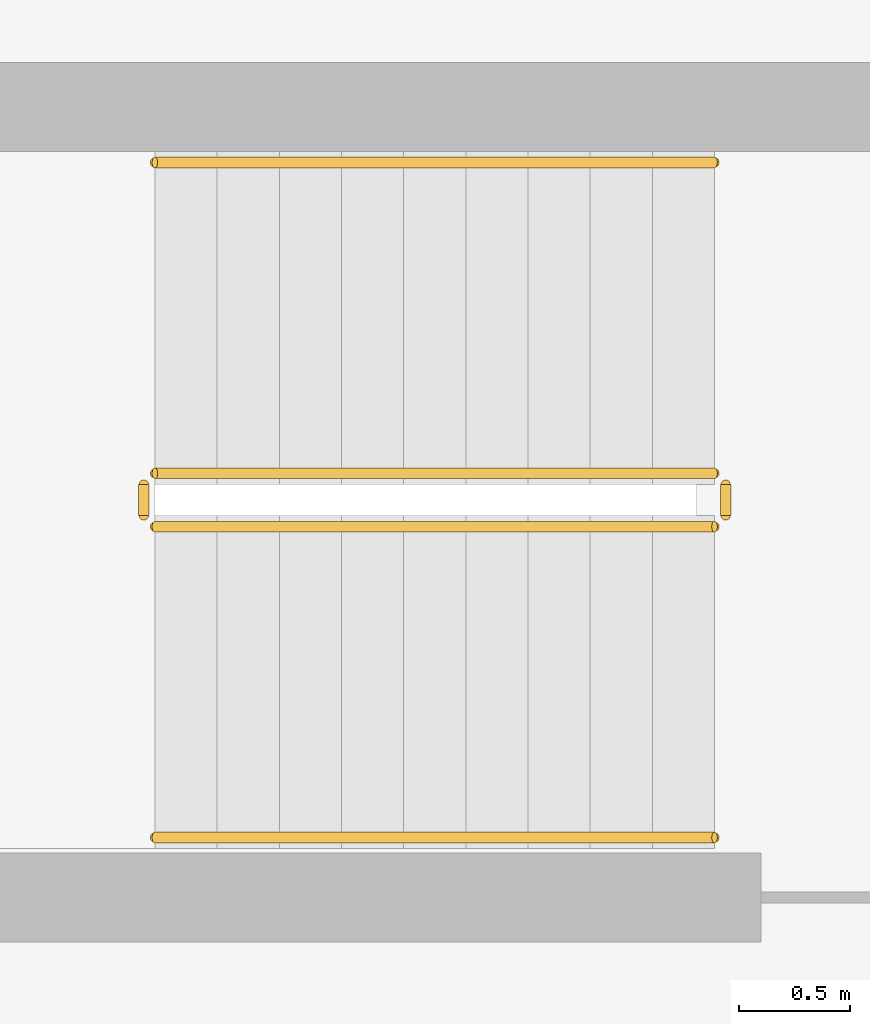
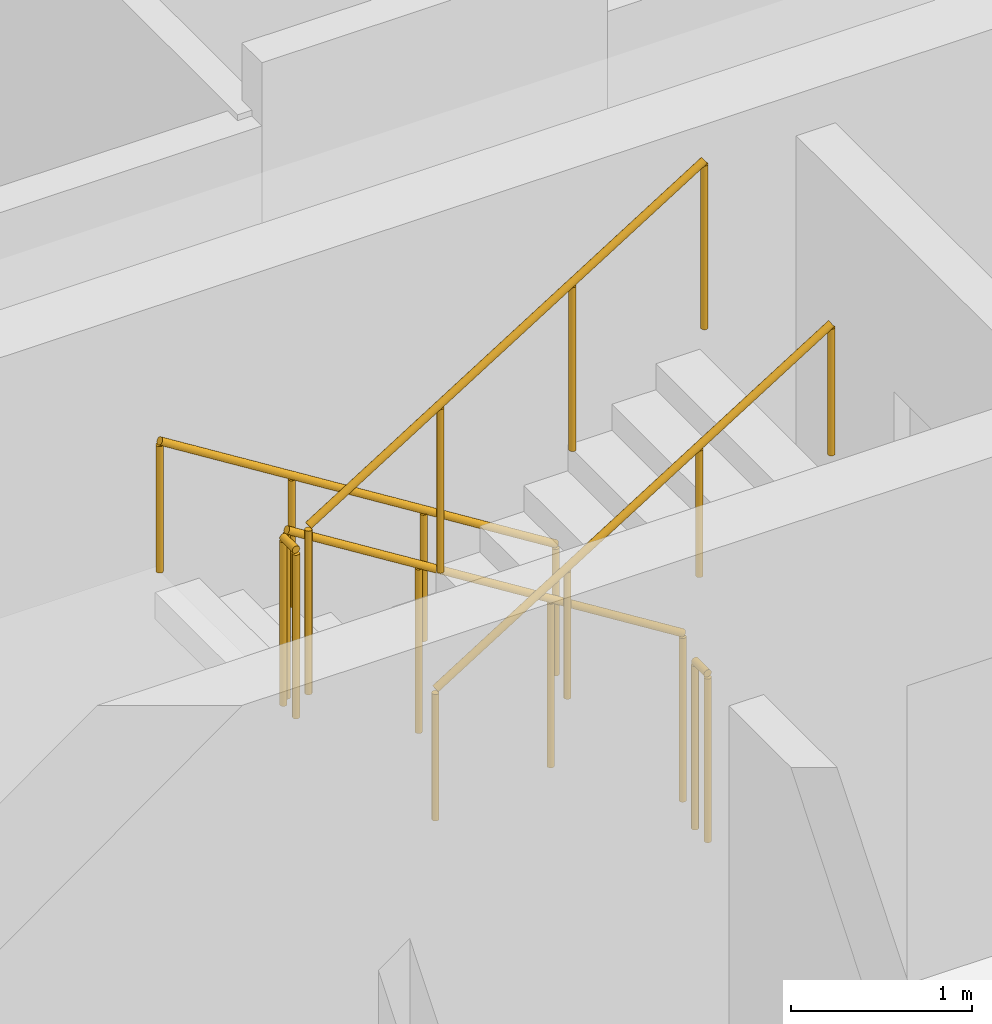
# One storey, part 13 of 14: 6 railings.
"""IFC4 building model written with IfcOpenShell, lengths in metres."""

from ifc_helpers import new_model, si_unit, derived_unit, direction, frame, origin, origin_2d, place, context, subcontext, project, spatial, circle, extrude, material, type_object, element, save


model = new_model("IFC4")

# Units and contexts
model_context = context("Model", 3, precision=1e-05, world=origin(), true_north=direction((0.0, 1.0)))
body_context = subcontext(model_context, "Body", "Model", "MODEL_VIEW")
ifc_project = project(units=[si_unit("LENGTHUNIT", "METRE"), si_unit("AREAUNIT", "SQUARE_METRE"), si_unit("VOLUMEUNIT", "CUBIC_METRE"), si_unit("PLANEANGLEUNIT", "RADIAN"), si_unit("MASSUNIT", "GRAM", prefix="KILO"), derived_unit("THERMALTRANSMITTANCEUNIT", [(si_unit("POWERUNIT", "WATT"), 1), (si_unit("LENGTHUNIT", "METRE"), -2), (si_unit("THERMODYNAMICTEMPERATUREUNIT", "KELVIN"), -1)])], contexts=[model_context])

# Site, building, storey
site_placement = place(None, origin())
site = spatial("IfcSite", under=ifc_project, at=site_placement, CompositionType="ELEMENT")
building_placement = place(site_placement, origin())
building = spatial("IfcBuilding", under=site, at=building_placement, Name="Kivonza Crest Hotel", CompositionType="ELEMENT")
storey_placement = place(building_placement, frame((0.0, 0.0, 141.5)))
storey = spatial("IfcBuildingStorey", under=building, at=storey_placement, Name="L38", CompositionType="ELEMENT", Elevation=141.5)

# Railings
ifc_material_1 = material(Name="Brushed stainless steel handrail", Category="steel")
railing_type_1 = type_object("IfcRailingType", Name="RL-HAND-900", PredefinedType="HANDRAIL", material=ifc_material_1)
railing_1_placement = place(storey_placement, frame((12.239990234375, 36.110107421875, 0.175048828125)))
element("IfcRailing", 1, at=railing_1_placement, inside=storey, type_object=railing_type_1, Name="L38 ST-T1-N stair handrail 1", PredefinedType="HANDRAIL", context=body_context, shape_type="SweptSolid", body=[
    extrude(circle(Radius=0.02392578125, at=origin_2d()), frame((0.0, 0.0, 0.8759765625), z_axis=(-0.848007534815, 0.0, 0.529984170421), x_axis=(0.0, -1.0, 0.0)), (0.0, 0.0, 1.0), 2.9716796875),
    extrude(circle(Radius=0.02099609375, at=origin_2d()), origin(), (0.0, 0.0, 1.0), 0.851806640625),
    extrude(circle(Radius=0.02099609375, at=origin_2d()), frame((-0.840087890625, 0.0, 0.52490234375)), (0.0, 0.0, 1.0), 0.851806640625),
    extrude(circle(Radius=0.02099609375, at=origin_2d()), frame((-1.679931640625, 0.0, 1.050048828125)), (0.0, 0.0, 1.0), 0.851806640625),
    extrude(circle(Radius=0.02099609375, at=origin_2d()), frame((-2.52001953125, 0.0, 1.574951171875)), (0.0, 0.0, 1.0), 0.851806640625),
])
railing_2_placement = place(storey_placement, frame((9.719970703125, 33.070068359375, 1.925048828125)))
element("IfcRailing", 2, at=railing_2_placement, inside=storey, type_object=railing_type_1, Name="L38 ST-T1-N stair handrail 2", PredefinedType="HANDRAIL", context=body_context, shape_type="SweptSolid", body=[
    extrude(circle(Radius=0.02392578125, at=origin_2d()), frame((0.0, 0.0, 0.8759765625), z_axis=(0.848007534815, 0.0, 0.529984170421), x_axis=(0.0, 1.0, 0.0)), (0.0, 0.0, 1.0), 2.9716796875),
    extrude(circle(Radius=0.02099609375, at=origin_2d()), origin(), (0.0, 0.0, 1.0), 0.851806640625),
    extrude(circle(Radius=0.02099609375, at=origin_2d()), frame((0.840087890625, 0.0, 0.52490234375)), (0.0, 0.0, 1.0), 0.851806640625),
    extrude(circle(Radius=0.02099609375, at=origin_2d()), frame((1.679931640625, 0.0, 1.050048828125)), (0.0, 0.0, 1.0), 0.851806640625),
    extrude(circle(Radius=0.02099609375, at=origin_2d()), frame((2.52001953125, 0.0, 1.574951171875)), (0.0, 0.0, 1.0), 0.851806640625),
])
ifc_material_2 = material(Name="Painted steel balustrade", Category="steel")
railing_type_2 = type_object("IfcRailingType", Name="RL-STAIR-1150", PredefinedType="BALUSTRADE", material=ifc_material_2)
railing_3_placement = place(storey_placement, frame((12.239990234375, 34.7099609375, 0.175048828125)))
element("IfcRailing", 3, at=railing_3_placement, inside=storey, type_object=railing_type_2, Name="L38 ST-T1-N stair guard 1", PredefinedType="BALUSTRADE", context=body_context, shape_type="SweptSolid", body=[
    extrude(circle(Radius=0.02392578125, at=origin_2d()), frame((0.0, 0.0, 1.1259765625), z_axis=(-0.848007534815, 0.0, 0.529984170421), x_axis=(0.0, -1.0, 0.0)), (0.0, 0.0, 1.0), 2.9716796875),
    extrude(circle(Radius=0.02099609375, at=origin_2d()), origin(), (0.0, 0.0, 1.0), 1.101806640625),
    extrude(circle(Radius=0.02099609375, at=origin_2d()), frame((-0.840087890625, 0.0, 0.52490234375)), (0.0, 0.0, 1.0), 1.101806640625),
    extrude(circle(Radius=0.02099609375, at=origin_2d()), frame((-1.679931640625, 0.0, 1.050048828125)), (0.0, 0.0, 1.0), 1.101806640625),
    extrude(circle(Radius=0.02099609375, at=origin_2d()), frame((-2.52001953125, 0.0, 1.574951171875)), (0.0, 0.0, 1.0), 1.101806640625),
])
railing_4_placement = place(storey_placement, frame((9.669921875, 34.659912109375, 1.75)))
element("IfcRailing", 4, at=railing_4_placement, inside=storey, type_object=railing_type_2, Name="L38 ST-T1-N stair guard 2", PredefinedType="BALUSTRADE", context=body_context, shape_type="SweptSolid", body=[
    extrude(circle(Radius=0.02392578125, at=origin_2d()), frame((0.0, 0.0, 1.1259765625), z_axis=(0.0, -1.0, 0.0), x_axis=(1.0, 0.0, 0.0)), (0.0, 0.0, 1.0), 0.139892578125),
    extrude(circle(Radius=0.02099609375, at=origin_2d()), origin(), (0.0, 0.0, 1.0), 1.101806640625),
    extrude(circle(Radius=0.02099609375, at=origin_2d()), frame((0.0, -0.139892578125, 0.0)), (0.0, 0.0, 1.0), 1.101806640625),
])
railing_5_placement = place(storey_placement, frame((9.719970703125, 34.469970703125, 1.925048828125)))
element("IfcRailing", 5, at=railing_5_placement, inside=storey, type_object=railing_type_2, Name="L38 ST-T1-N stair guard 3", PredefinedType="BALUSTRADE", context=body_context, shape_type="SweptSolid", body=[
    extrude(circle(Radius=0.02392578125, at=origin_2d()), frame((0.0, 0.0, 1.1259765625), z_axis=(0.848007534815, 0.0, 0.529984170421), x_axis=(0.0, 1.0, 0.0)), (0.0, 0.0, 1.0), 2.9716796875),
    extrude(circle(Radius=0.02099609375, at=origin_2d()), origin(), (0.0, 0.0, 1.0), 1.101806640625),
    extrude(circle(Radius=0.02099609375, at=origin_2d()), frame((0.840087890625, 0.0, 0.52490234375)), (0.0, 0.0, 1.0), 1.101806640625),
    extrude(circle(Radius=0.02099609375, at=origin_2d()), frame((1.679931640625, 0.0, 1.050048828125)), (0.0, 0.0, 1.0), 1.101806640625),
    extrude(circle(Radius=0.02099609375, at=origin_2d()), frame((2.52001953125, 0.0, 1.574951171875)), (0.0, 0.0, 1.0), 1.101806640625),
])
railing_6_placement = place(storey_placement, frame((12.2900390625, 34.659912109375, 0.0)))
element("IfcRailing", 6, at=railing_6_placement, inside=storey, type_object=railing_type_2, Name="L38 ST-T1-N stair guard 4", PredefinedType="BALUSTRADE", context=body_context, shape_type="SweptSolid", body=[
    extrude(circle(Radius=0.02392578125, at=origin_2d()), frame((0.0, 0.0, 1.1259765625), z_axis=(0.0, -1.0, 0.0), x_axis=(1.0, 0.0, 0.0)), (0.0, 0.0, 1.0), 0.139892578125),
    extrude(circle(Radius=0.02099609375, at=origin_2d()), origin(), (0.0, 0.0, 1.0), 1.101806640625),
    extrude(circle(Radius=0.02099609375, at=origin_2d()), frame((0.0, -0.139892578125, 0.0)), (0.0, 0.0, 1.0), 1.101806640625),
])

save(model, "model.ifc")
